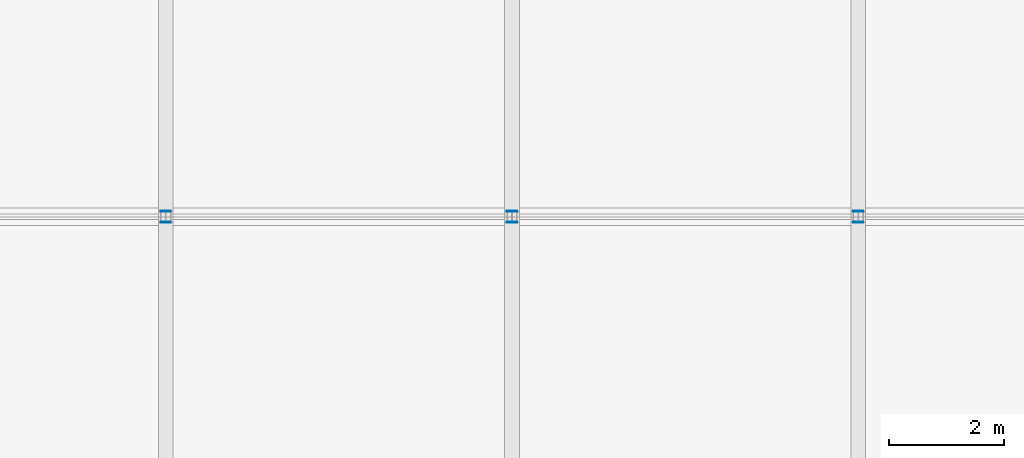
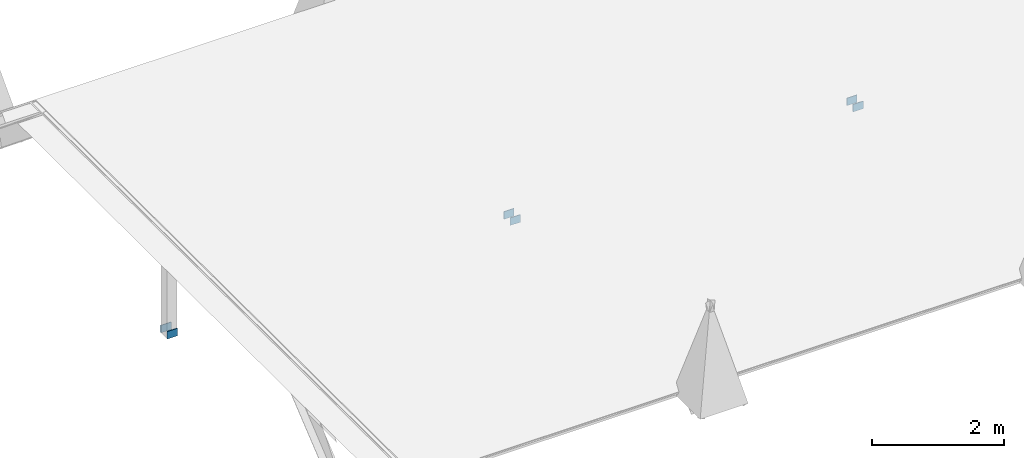
# One storey, part 21 of 33: 6 discrete accessories.
"""IFC4 building model written with IfcOpenShell, lengths in metres."""

from ifc_helpers import new_model, si_unit, direction, frame, origin, origin_2d, place, context, subcontext, project, spatial, rectangle, extrude, material, type_object, element, save


model = new_model("IFC4")

# Units and contexts
model_context = context("Model", 3, precision=1e-05, world=origin(), true_north=direction((0.0, 1.0)))
body_context = subcontext(model_context, "Body", "Model", "MODEL_VIEW")
ifc_project = project(units=[si_unit("LENGTHUNIT", "METRE"), si_unit("AREAUNIT", "SQUARE_METRE"), si_unit("VOLUMEUNIT", "CUBIC_METRE"), si_unit("PLANEANGLEUNIT", "RADIAN"), si_unit("MASSUNIT", "GRAM", prefix="KILO")], contexts=[model_context])

# Site, building, storey
site_placement = place(None, origin())
site = spatial("IfcSite", under=ifc_project, at=site_placement, CompositionType="ELEMENT")
building_placement = place(site_placement, origin())
building = spatial("IfcBuilding", under=site, at=building_placement, Name="Cumevento Cable Car Station", CompositionType="ELEMENT")
storey_placement = place(building_placement, frame((0.0, 0.0, 22.5)))
storey = spatial("IfcBuildingStorey", under=building, at=storey_placement, Name="RF", CompositionType="ELEMENT", Elevation=22.5)

# Discrete accessories
ifc_material = material(Name="Steel ASTM A572 Grade 50", Category="steel")
discrete_accessory_type = type_object("IfcDiscreteAccessoryType", Name="King Post Foot Cleat Plate KC-01", PredefinedType="BRACKET", material=ifc_material)
for number, where, z_axis, x_axis, name in (
    (1, (28.0, 50.655029296875, -0.0009765625), (0.0, 0.0, 1.0), (0.0, 1.0, 0.0), "King Post Foot Cleat Plate #15"),
    (2, (28.0, 50.844970703125, -0.0009765625), (0.0, 0.0, 1.0), (0.0, 1.0, 0.0), "King Post Foot Cleat Plate #16"),
    (3, (34.0, 50.655029296875, -0.0009765625), (0.0, 0.0, 1.0), (0.0, 1.0, 0.0), "King Post Foot Cleat Plate #17"),
    (4, (34.0, 50.844970703125, -0.0009765625), (0.0, 0.0, 1.0), (0.0, 1.0, 0.0), "King Post Foot Cleat Plate #18"),
    (5, (40.0, 50.655029296875, -0.0009765625), (0.0, 0.0, 1.0), (0.0, 1.0, 0.0), "King Post Foot Cleat Plate #19"),
    (6, (40.0, 50.844970703125, -0.0009765625), (0.0, 0.0, 1.0), (0.0, 1.0, 0.0), "King Post Foot Cleat Plate #20"),
):
    element("IfcDiscreteAccessory", number, at=place(storey_placement, frame(where, z_axis=z_axis, x_axis=x_axis)), inside=storey, type_object=discrete_accessory_type, Name=name, PredefinedType="BRACKET", context=body_context, shape_type="SweptSolid", body=[
        extrude(rectangle(XDim=0.011962890625, YDim=0.179931640625, at=origin_2d()), origin(), (0.0, 0.0, 1.0), 0.139892578125),
    ])

save(model, "model.ifc")
